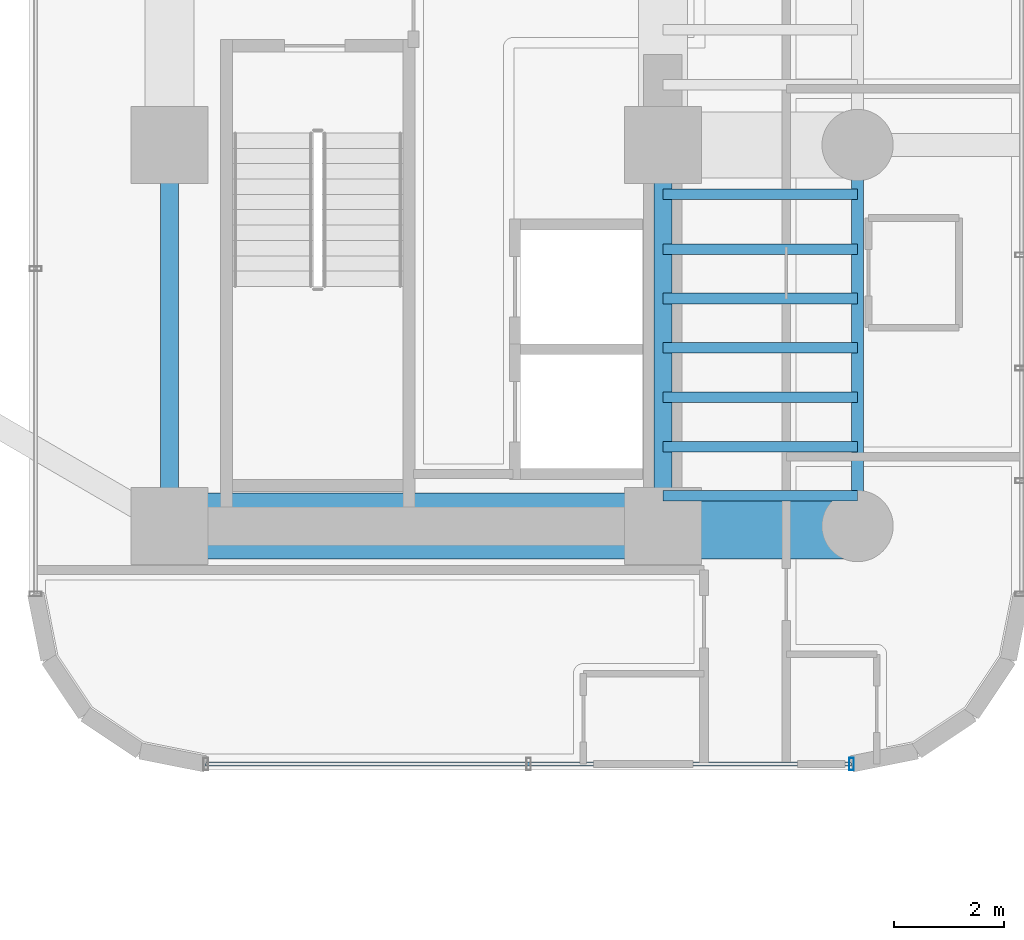
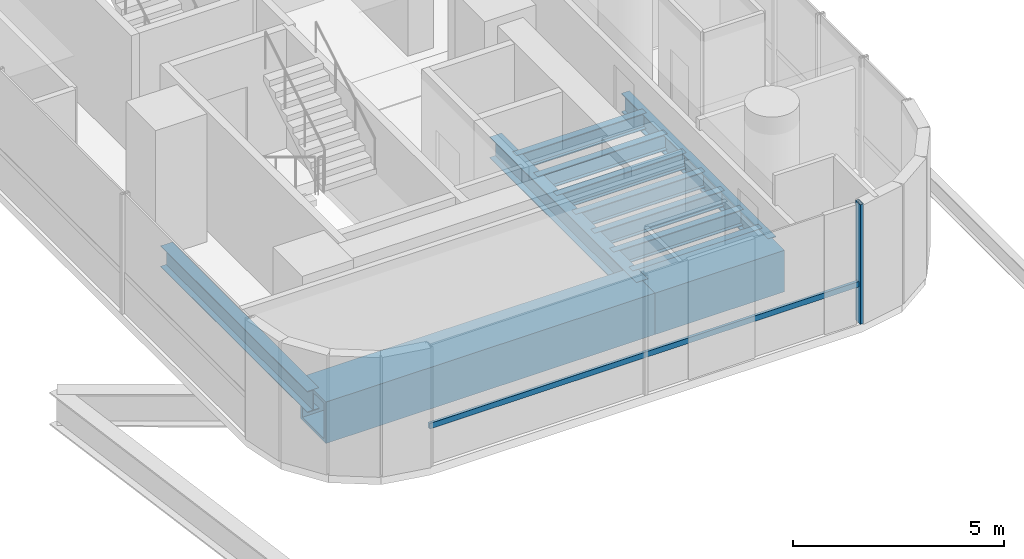
# One storey, part 16 of 50: 12 beams, 2 members, 1 element without a shape of its own.
"""IFC4 building model written with IfcOpenShell, lengths in metres."""

from ifc_helpers import new_model, si_unit, direction, frame, origin, origin_2d, place, context, subcontext, project, spatial, hollow_rectangle, i_section, extrude, source, transform, mapped, material, material_profile, profile_set, type_object, element, aggregate, save


model = new_model("IFC4")

# Units and contexts
model_context = context("Model", 3, precision=1e-05, world=origin(), true_north=direction((0.0, 1.0)))
body_context = subcontext(model_context, "Body", "Model", "MODEL_VIEW")
ifc_project = project(units=[si_unit("LENGTHUNIT", "METRE"), si_unit("AREAUNIT", "SQUARE_METRE"), si_unit("VOLUMEUNIT", "CUBIC_METRE"), si_unit("PLANEANGLEUNIT", "RADIAN"), si_unit("MASSUNIT", "GRAM", prefix="KILO")], contexts=[model_context])

# Site, building, storey
site_placement = place(None, origin())
site = spatial("IfcSite", under=ifc_project, at=site_placement, CompositionType="ELEMENT")
building_placement = place(site_placement, origin())
building = spatial("IfcBuilding", under=site, at=building_placement, Name="Valdorenza Pilgrim Sanctuary Tower", CompositionType="ELEMENT")
storey_placement = place(building_placement, frame((0.0, 0.0, 26.0)))
storey = spatial("IfcBuildingStorey", under=building, at=storey_placement, Name="L05", CompositionType="ELEMENT", Elevation=26.0)

# Beams
ifc_material_1 = material(Name="Steel ASTM A992 Grade 50", Category="steel")
ifc_material_profile_1 = material_profile(ifc_material_1, i_section(OverallWidth=0.323974609375, OverallDepth=0.611083984375, WebThickness=0.0126953125, FlangeThickness=0.01904296875, at=origin_2d()), Name="W24X104")
ifc_profile_set_1 = profile_set([ifc_material_profile_1], Name="Steel ASTM A992 Grade 50")
beam_type_1 = type_object("IfcBeamType", Name="STR-BM-GRD-W24B", PredefinedType="BEAM", material=ifc_profile_set_1)
shared_shape_1 = source(origin(), body_context, "Body", "SweptSolid", [
    extrude(i_section(OverallWidth=0.323974609375, OverallDepth=0.611083984375, WebThickness=0.0126953125, FlangeThickness=0.01904296875, at=origin_2d()), origin(), (0.0, 0.0, 1.0), 6.949951171875),
])
for number, where, z_axis, x_axis, name in (
    (1, (15.85009765625, -9.550048828125, -0.54541015625), (0.0, 1.0, 0.0), (-1.0, 0.0, 0.0), "L05 Core Tie Girder CB-W-S1M0"),
    (2, (24.85009765625, -9.550048828125, -0.54541015625), (0.0, 1.0, 0.0), (-1.0, 0.0, 0.0), "L05 Core Tie Girder CB-E-S1M0"),
):
    element("IfcBeam", number, at=place(storey_placement, frame(where, z_axis=z_axis, x_axis=x_axis)), inside=storey, type_object=beam_type_1, Name=name, PredefinedType="BEAM", context=body_context, shape_type="MappedRepresentation", body=[
        mapped(shared_shape_1, transform((0.0, 0.0, 0.0), x_axis=(1.0, 0.0, 0.0), y_axis=(0.0, 1.0, 0.0), z_axis=(0.0, 0.0, 1.0), scale=1.0)),
    ])
ifc_material_profile_2 = material_profile(ifc_material_1, i_section(OverallWidth=0.214111328125, OverallDepth=0.549072265625, WebThickness=0.0146484375, FlangeThickness=0.023681640625, at=origin_2d()), Name="W21X93")
ifc_profile_set_2 = profile_set([ifc_material_profile_2], Name="Steel ASTM A992 Grade 50")
beam_type_2 = type_object("IfcBeamType", Name="STR-BM-SPN-W21A", PredefinedType="SPANDREL", material=ifc_profile_set_2)
shared_shape_2 = source(origin(), body_context, "Body", "SweptSolid", [
    extrude(i_section(OverallWidth=0.214111328125, OverallDepth=0.549072265625, WebThickness=0.0146484375, FlangeThickness=0.023681640625, at=origin_2d()), origin(), (0.0, 0.0, 1.0), 6.949951171875),
])
beam_1_placement = place(storey_placement, frame((28.39990234375, -9.550048828125, -0.514404296875), z_axis=(0.0, 1.0, 0.0), x_axis=(-1.0, 0.0, 0.0)))
element("IfcBeam", 3, at=beam_1_placement, inside=storey, type_object=beam_type_2, Name="L05 Spandrel Beam WB-E-S1M0", PredefinedType="SPANDREL", context=body_context, shape_type="MappedRepresentation", body=[
    mapped(shared_shape_2, transform((0.0, 0.0, 0.0), x_axis=(1.0, 0.0, 0.0), y_axis=(0.0, 1.0, 0.0), z_axis=(0.0, 0.0, 1.0), scale=1.0)),
])
ifc_material_profile_3 = material_profile(ifc_material_1, i_section(OverallWidth=0.193115234375, OverallDepth=0.466064453125, WebThickness=0.011474609375, FlangeThickness=0.01904296875, at=origin_2d()), Name="W18X65")
ifc_profile_set_3 = profile_set([ifc_material_profile_3], Name="Steel ASTM A992 Grade 50")
beam_type_3 = type_object("IfcBeamType", Name="STR-BM-JST-W18A", PredefinedType="JOIST", material=ifc_profile_set_3)
shared_shape_3 = source(origin(), body_context, "Body", "SweptSolid", [
    extrude(i_section(OverallWidth=0.193115234375, OverallDepth=0.466064453125, WebThickness=0.011474609375, FlangeThickness=0.01904296875, at=origin_2d()), origin(), (0.0, 0.0, 1.0), 3.5498046875),
])
for number, where, z_axis, x_axis, name in (
    (4, (24.85009765625, -9.0, -0.472900390625), (1.0, 0.0, 0.0), (0.0, 1.0, 0.0), "L05 Composite Floor Joist JST-WB-1"),
    (5, (24.85009765625, -8.10009765625, -0.472900390625), (1.0, 0.0, 0.0), (0.0, 1.0, 0.0), "L05 Composite Floor Joist JST-WB-2"),
    (6, (24.85009765625, -7.199951171875, -0.472900390625), (1.0, 0.0, 0.0), (0.0, 1.0, 0.0), "L05 Composite Floor Joist JST-WB-3"),
    (7, (24.85009765625, -6.300048828125, -0.472900390625), (1.0, 0.0, 0.0), (0.0, 1.0, 0.0), "L05 Composite Floor Joist JST-WB-4"),
    (8, (24.85009765625, -5.39990234375, -0.472900390625), (1.0, 0.0, 0.0), (0.0, 1.0, 0.0), "L05 Composite Floor Joist JST-WB-5"),
    (9, (24.85009765625, -4.5, -0.472900390625), (1.0, 0.0, 0.0), (0.0, 1.0, 0.0), "L05 Composite Floor Joist JST-WB-6"),
    (10, (24.85009765625, -3.5, -0.472900390625), (1.0, 0.0, 0.0), (0.0, 1.0, 0.0), "L05 Composite Floor Joist JST-WB-7"),
):
    element("IfcBeam", number, at=place(storey_placement, frame(where, z_axis=z_axis, x_axis=x_axis)), inside=storey, type_object=beam_type_3, Name=name, PredefinedType="JOIST", context=body_context, shape_type="MappedRepresentation", body=[
        mapped(shared_shape_3, transform((0.0, 0.0, 0.0), x_axis=(1.0, 0.0, 0.0), y_axis=(0.0, 1.0, 0.0), z_axis=(0.0, 0.0, 1.0), scale=1.0)),
    ])
ifc_material_2 = material(Name="Steel ASTM A572 Grade 42", Category="steel")
ifc_material_profile_4 = material_profile(ifc_material_2, hollow_rectangle(XDim=1.199951171875, YDim=1.199951171875, WallThickness=0.090087890625, at=origin_2d()), Name="BOX 1200x1200x90")
ifc_profile_set_4 = profile_set([ifc_material_profile_4], Name="Steel ASTM A572 Grade 42")
beam_type_4 = type_object("IfcBeamType", Name="STR-BM-TRF-1200", PredefinedType="BEAM", material=ifc_profile_set_4)
shared_shape_4 = source(origin(), body_context, "Body", "SweptSolid", [
    extrude(hollow_rectangle(XDim=1.199951171875, YDim=1.199951171875, WallThickness=0.090087890625, at=origin_2d()), origin(), (0.0, 0.0, 1.0), 9.0),
])
beam_2_placement = place(storey_placement, frame((15.85009765625, -9.550048828125, -0.840087890625), z_axis=(1.0, 0.0, 0.0), x_axis=(0.0, 1.0, 0.0)))
element("IfcBeam", 11, at=beam_2_placement, inside=storey, type_object=beam_type_4, Name="L05 Transfer Girder CB-XC-S1", PredefinedType="BEAM", context=body_context, shape_type="MappedRepresentation", body=[
    mapped(shared_shape_4, transform((0.0, 0.0, 0.0), x_axis=(1.0, 0.0, 0.0), y_axis=(0.0, 1.0, 0.0), z_axis=(0.0, 0.0, 1.0), scale=1.0)),
])
shared_shape_5 = source(origin(), body_context, "Body", "SweptSolid", [
    extrude(hollow_rectangle(XDim=1.199951171875, YDim=1.199951171875, WallThickness=0.090087890625, at=origin_2d()), origin(), (0.0, 0.0, 1.0), 3.5498046875),
])
beam_3_placement = place(storey_placement, frame((24.85009765625, -9.550048828125, -0.840087890625), z_axis=(1.0, 0.0, 0.0), x_axis=(0.0, 1.0, 0.0)))
element("IfcBeam", 12, at=beam_3_placement, inside=storey, type_object=beam_type_4, Name="L05 Transfer Girder WB-XE-S1", PredefinedType="BEAM", context=body_context, shape_type="MappedRepresentation", body=[
    mapped(shared_shape_5, transform((0.0, 0.0, 0.0), x_axis=(1.0, 0.0, 0.0), y_axis=(0.0, 1.0, 0.0), z_axis=(0.0, 0.0, 1.0), scale=1.0)),
])

# Curtain wall, members
ifc_material_3 = material(Name="Curtain-wall IGU glazing", Category="glass")
curtain_wall_type = type_object("IfcCurtainWallType", Name="CW-SYS-03", PredefinedType="NOTDEFINED", material=ifc_material_3)
curtain_wall_placement = place(storey_placement, origin())
curtain_wall = element("IfcCurtainWall", 13, at=curtain_wall_placement, inside=storey, type_object=curtain_wall_type, Name="L05 Curtain Wall CW-L05-1-26", PredefinedType="NOTDEFINED")
ifc_material_4 = material(Name="Anodised aluminium AW-6060", Category="aluminium")
ifc_material_profile_5 = material_profile(ifc_material_4, hollow_rectangle(XDim=0.0849609375, YDim=0.219970703125, WallThickness=0.0048828125, at=origin_2d()), Name="ALU-M 220x85x5")
ifc_profile_set_5 = profile_set([ifc_material_profile_5], Name="Anodised aluminium AW-6060")
member_type_1 = type_object("IfcMemberType", Name="CW-MUL-03", PredefinedType="MULLION", material=ifc_profile_set_5)
shared_shape_6 = source(origin(), body_context, "Body", "SweptSolid", [
    extrude(hollow_rectangle(XDim=0.0849609375, YDim=0.219970703125, WallThickness=0.0048828125, at=origin_2d()), origin(), (0.0, 0.0, 1.0), 3.4599609375),
])
member_1_placement = place(storey_placement, frame((28.289306640625, -13.889892578125, 0.0), z_axis=(0.0, 0.0, 1.0), x_axis=(-1.0, 0.0, 0.0)))
member_1 = element("IfcMember", 14, at=member_1_placement, type_object=member_type_1, Name="CW-L05-1-26 Mullion 1", PredefinedType="MULLION", context=body_context, shape_type="MappedRepresentation", body=[
    mapped(shared_shape_6, transform((0.0, 0.0, 0.0), x_axis=(1.0, 0.0, 0.0), y_axis=(0.0, 1.0, 0.0), z_axis=(0.0, 0.0, 1.0), scale=1.0)),
])
ifc_material_profile_6 = material_profile(ifc_material_4, hollow_rectangle(XDim=0.074951171875, YDim=0.159912109375, WallThickness=0.00390625, at=origin_2d()), Name="ALU-T 160x75x4")
ifc_profile_set_6 = profile_set([ifc_material_profile_6], Name="Anodised aluminium AW-6060")
member_type_2 = type_object("IfcMemberType", Name="CW-TRN-03", PredefinedType="USERDEFINED", material=ifc_profile_set_6)
shared_shape_7 = source(origin(), body_context, "Body", "SweptSolid", [
    extrude(hollow_rectangle(XDim=0.074951171875, YDim=0.159912109375, WallThickness=0.00390625, at=origin_2d()), origin(), (0.0, 0.0, 1.0), 11.778564453125),
])
member_2_placement = place(storey_placement, frame((28.289306640625, -13.889892578125, 1.1201171875), z_axis=(-1.0, 0.0, 0.0), x_axis=(0.0, -1.0, 0.0)))
member_2 = element("IfcMember", 15, at=member_2_placement, type_object=member_type_2, Name="CW-L05-1-26 Transom 1", ObjectType="TRANSOM", PredefinedType="USERDEFINED", context=body_context, shape_type="MappedRepresentation", body=[
    mapped(shared_shape_7, transform((0.0, 0.0, 0.0), x_axis=(1.0, 0.0, 0.0), y_axis=(0.0, 1.0, 0.0), z_axis=(0.0, 0.0, 1.0), scale=1.0)),
])
aggregate(curtain_wall, [member_1, member_2])

save(model, "model.ifc")
